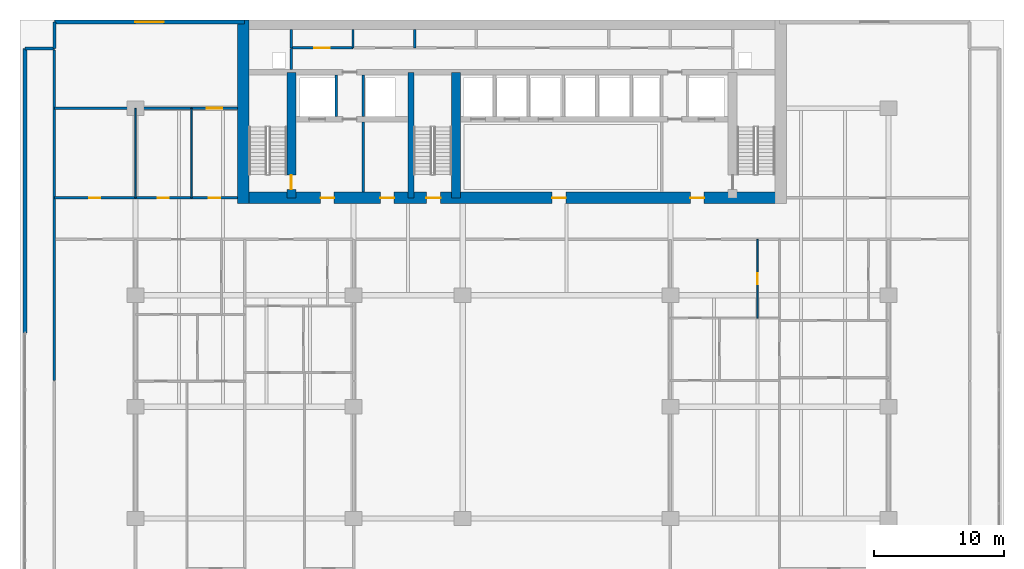
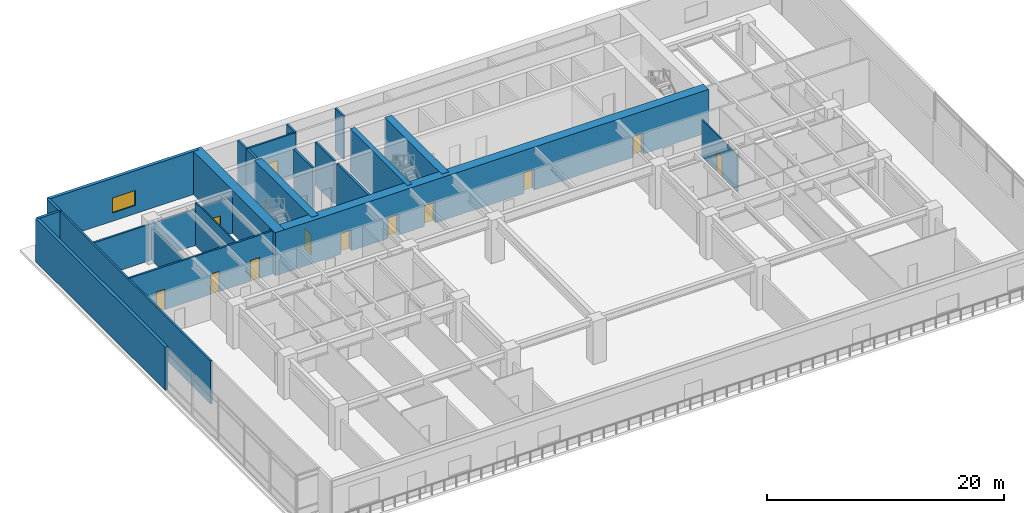
# One storey, part 8 of 13: 23 walls, 12 doors, 1 window, 13 openings.
"""IFC4 building model written with IfcOpenShell, lengths in metres."""

from ifc_helpers import new_model, si_unit, direction, frame, frame_2d, origin, place, context, subcontext, project, spatial, rectangle, extrude, material, layer, layer_set, type_object, element, fill, save


model = new_model("IFC4")

# Units and contexts
model_context = context("Model", 3, precision=1e-05, world=origin(), true_north=direction((0.0, 1.0)))
body_context = subcontext(model_context, "Body", "Model", "MODEL_VIEW")
ifc_project = project(units=[si_unit("LENGTHUNIT", "METRE"), si_unit("AREAUNIT", "SQUARE_METRE"), si_unit("VOLUMEUNIT", "CUBIC_METRE"), si_unit("PLANEANGLEUNIT", "RADIAN"), si_unit("MASSUNIT", "GRAM", prefix="KILO")], contexts=[model_context])

# Site, building, storey
site_placement = place(None, origin())
site = spatial("IfcSite", under=ifc_project, at=site_placement, CompositionType="ELEMENT")
building_placement = place(site_placement, origin())
building = spatial("IfcBuilding", under=site, at=building_placement, Name="Caelmar Bay Residences", CompositionType="ELEMENT")
storey_placement = place(building_placement, frame((0.0, 0.0, 19.800048828125)))
storey = spatial("IfcBuildingStorey", under=building, at=storey_placement, Name="L04", CompositionType="ELEMENT", Elevation=19.800048828125)

# Wall, opening, door
ifc_material_1 = material(Name="Concrete f'c 55 MPa (8,000 psi)", Category="concrete")
ifc_layer_1 = layer(ifc_material_1, 0.699951171875)
ifc_layer_set_1 = layer_set([ifc_layer_1], Name="Concrete f'c 55 MPa (8,000 psi)")
wall_type_1 = type_object("IfcWallType", Name="SW-COR-700", PredefinedType="SHEAR", material=ifc_layer_set_1)
wall_1_placement = place(storey_placement, frame((21.89990234375, 36.89990234375, 0.0), z_axis=(0.0, 0.0, 1.0), x_axis=(0.0, 1.0, 0.0)))
wall_1 = element("IfcWall", 1, at=wall_1_placement, inside=storey, type_object=wall_type_1, Name="L04 Core Structural Web Wall ST1E", PredefinedType="SHEAR", context=body_context, shape_type="SweptSolid", body=[
    extrude(rectangle(XDim=9.675048828125, YDim=0.699951171875, at=frame_2d((4.83740234375, 0.0))), origin(), (0.0, 0.0, 1.0), 4.449951171875),
])
opening_1_placement = place(wall_1_placement, frame((0.64990234375, 0.0, 0.0)))
opening_1 = element("IfcOpeningElement", 2, at=opening_1_placement, cuts=wall_1, Name="Opening D-L04-108", PredefinedType="OPENING", context=body_context, shape_type="SweptSolid", body=[
    extrude(rectangle(XDim=1.10009765625, YDim=2.14990234375, at=frame_2d((0.550048828125, 1.074951171875))), frame((0.0, 0.35986328125, 0.0), z_axis=(0.0, -1.0, 0.0), x_axis=(1.0, 0.0, 0.0)), (0.0, 0.0, 1.0), 0.719970703125),
])
ifc_material_2 = material(Name="Fire-rated steel and walnut architectural door assembly", Category="steel")
ifc_layer_2 = layer(ifc_material_2, 0.050048828125)
ifc_layer_set_2 = layer_set([ifc_layer_2], Name="Fire-rated steel and walnut architectural door assembly")
door_type_1 = type_object("IfcDoorType", Name="D-STAIR-1100", OperationType="NOTDEFINED", PredefinedType="DOOR", material=ifc_layer_set_2)
door_1_placement = place(opening_1_placement, origin())
door_1 = element("IfcDoor", 3, at=door_1_placement, inside=storey, type_object=door_type_1, Name="L04 Firefighting Lobby West Door", OperationType="SINGLE_SWING_RIGHT", OverallHeight=2.14990234375, OverallWidth=1.10009765625, PredefinedType="DOOR", context=body_context, shape_type="SweptSolid", body=[
    extrude(rectangle(XDim=1.10009765625, YDim=2.14990234375, at=frame_2d((0.550048828125, 1.074951171875))), frame((0.0, 0.02490234375, 0.0), z_axis=(0.0, -1.0, 0.0), x_axis=(1.0, 0.0, 0.0)), (0.0, 0.0, 1.0), 0.050048828125),
])
fill(opening_1, door_1)

# Wall
wall_2_placement = place(storey_placement, frame((34.60009765625, 36.89990234375, 0.0), z_axis=(0.0, 0.0, 1.0), x_axis=(0.0, 1.0, 0.0)))
element("IfcWall", 4, at=wall_2_placement, inside=storey, type_object=wall_type_1, Name="L04 Core Structural Web Wall ST3E", PredefinedType="SHEAR", context=body_context, shape_type="SweptSolid", body=[
    extrude(rectangle(XDim=9.675048828125, YDim=0.699951171875, at=frame_2d((4.83740234375, 0.0))), origin(), (0.0, 0.0, 1.0), 4.449951171875),
])

# Wall, openings, doors
ifc_material_3 = material(Name="Concrete f'c 70 MPa (10,000 psi)", Category="concrete")
ifc_layer_3 = layer(ifc_material_3, 0.89990234375)
ifc_layer_set_3 = layer_set([ifc_layer_3], Name="Concrete f'c 70 MPa (10,000 psi)")
wall_type_2 = type_object("IfcWallType", Name="SW-COR-900", PredefinedType="SHEAR", material=ifc_layer_set_3)
wall_3_placement = place(storey_placement, frame((17.75, 36.89990234375, 0.0), z_axis=(0.0, 0.0, 1.0), x_axis=(1.0, 0.0, 0.0)))
wall_3 = element("IfcWall", 5, at=wall_3_placement, inside=storey, type_object=wall_type_2, Name="L04 Rear Core South Shear Wall", PredefinedType="SHEAR", context=body_context, shape_type="SweptSolid", body=[
    extrude(rectangle(XDim=42.300048828125, YDim=0.89990234375, at=frame_2d((21.14990234375, 0.0))), origin(), (0.0, 0.0, 1.0), 4.449951171875),
])
opening_2_placement = place(wall_3_placement, frame((14.550048828125, 0.0, 0.0)))
opening_2 = element("IfcOpeningElement", 6, at=opening_2_placement, cuts=wall_3, Name="Opening D-L04-106", PredefinedType="OPENING", context=body_context, shape_type="SweptSolid", body=[
    extrude(rectangle(XDim=1.10009765625, YDim=2.14990234375, at=frame_2d((0.550048828125, 1.074951171875))), frame((0.0, 0.4599609375, 0.0), z_axis=(0.0, -1.0, 0.0), x_axis=(1.0, 0.0, 0.0)), (0.0, 0.0, 1.0), 0.919921875),
])
opening_3_placement = place(wall_3_placement, frame((6.39990234375, 0.0, 0.0)))
opening_3 = element("IfcOpeningElement", 7, at=opening_3_placement, cuts=wall_3, Name="Opening D-L04-107", PredefinedType="OPENING", context=body_context, shape_type="SweptSolid", body=[
    extrude(rectangle(XDim=1.050048828125, YDim=2.14990234375, at=frame_2d((0.52490234375, 1.074951171875))), frame((0.0, 0.4599609375, 0.0), z_axis=(0.0, -1.0, 0.0), x_axis=(1.0, 0.0, 0.0)), (0.0, 0.0, 1.0), 0.919921875),
])
opening_4_placement = place(wall_3_placement, frame((34.89990234375, 0.0, 0.0)))
opening_4 = element("IfcOpeningElement", 8, at=opening_4_placement, cuts=wall_3, Name="Opening D-L04-110", PredefinedType="OPENING", context=body_context, shape_type="SweptSolid", body=[
    extrude(rectangle(XDim=1.050048828125, YDim=2.14990234375, at=frame_2d((0.52490234375, 1.074951171875))), frame((0.0, 0.4599609375, 0.0), z_axis=(0.0, -1.0, 0.0), x_axis=(1.0, 0.0, 0.0)), (0.0, 0.0, 1.0), 0.919921875),
])
opening_5_placement = place(wall_3_placement, frame((11.012451171875, 0.0, 0.0)))
opening_5 = element("IfcOpeningElement", 9, at=opening_5_placement, cuts=wall_3, Name="Opening D-L04-113", PredefinedType="OPENING", context=body_context, shape_type="SweptSolid", body=[
    extrude(rectangle(XDim=1.050048828125, YDim=2.14990234375, at=frame_2d((0.52490234375, 1.074951171875))), frame((0.0, 0.4599609375, 0.0), z_axis=(0.0, -1.0, 0.0), x_axis=(1.0, 0.0, 0.0)), (0.0, 0.0, 1.0), 0.919921875),
])
opening_6_placement = place(wall_3_placement, frame((24.25, 0.0, 0.0)))
opening_6 = element("IfcOpeningElement", 10, at=opening_6_placement, cuts=wall_3, Name="Opening D-L04-114", PredefinedType="OPENING", context=body_context, shape_type="SweptSolid", body=[
    extrude(rectangle(XDim=1.050048828125, YDim=2.14990234375, at=frame_2d((0.52490234375, 1.074951171875))), frame((0.0, 0.4599609375, 0.0), z_axis=(0.0, -1.0, 0.0), x_axis=(1.0, 0.0, 0.0)), (0.0, 0.0, 1.0), 0.919921875),
])
ifc_layer_4 = layer(ifc_material_2, 0.050048828125)
ifc_layer_set_4 = layer_set([ifc_layer_4], Name="Fire-rated steel and walnut architectural door assembly")
door_type_2 = type_object("IfcDoorType", Name="D-FSAE-1050", OperationType="NOTDEFINED", PredefinedType="DOOR", material=ifc_layer_set_4)
door_2_placement = place(opening_3_placement, origin())
door_2 = element("IfcDoor", 11, at=door_2_placement, inside=storey, type_object=door_type_2, Name="L04 Firefighting Lobby West Door", OperationType="SINGLE_SWING_LEFT", OverallHeight=2.14990234375, OverallWidth=1.050048828125, PredefinedType="DOOR", context=body_context, shape_type="SweptSolid", body=[
    extrude(rectangle(XDim=1.050048828125, YDim=2.14990234375, at=frame_2d((0.52490234375, 1.074951171875))), frame((0.0, 0.02490234375, 0.0), z_axis=(0.0, -1.0, 0.0), x_axis=(1.0, 0.0, 0.0)), (0.0, 0.0, 1.0), 0.050048828125),
])
fill(opening_3, door_2)
door_3_placement = place(opening_4_placement, origin())
door_3 = element("IfcDoor", 12, at=door_3_placement, inside=storey, type_object=door_type_2, Name="L04 Firefighting Lobby East Door", OperationType="SINGLE_SWING_RIGHT", OverallHeight=2.14990234375, OverallWidth=1.050048828125, PredefinedType="DOOR", context=body_context, shape_type="SweptSolid", body=[
    extrude(rectangle(XDim=1.050048828125, YDim=2.14990234375, at=frame_2d((0.52490234375, 1.074951171875))), frame((0.0, 0.02490234375, 0.0), z_axis=(0.0, -1.0, 0.0), x_axis=(1.0, 0.0, 0.0)), (0.0, 0.0, 1.0), 0.050048828125),
])
fill(opening_4, door_3)
door_4_placement = place(opening_5_placement, origin())
door_4 = element("IfcDoor", 13, at=door_4_placement, inside=storey, type_object=door_type_2, Name="L04 West Lift Lobby Door", OperationType="SINGLE_SWING_LEFT", OverallHeight=2.14990234375, OverallWidth=1.050048828125, PredefinedType="DOOR", context=body_context, shape_type="SweptSolid", body=[
    extrude(rectangle(XDim=1.050048828125, YDim=2.14990234375, at=frame_2d((0.52490234375, 1.074951171875))), frame((0.0, 0.02490234375, 0.0), z_axis=(0.0, -1.0, 0.0), x_axis=(1.0, 0.0, 0.0)), (0.0, 0.0, 1.0), 0.050048828125),
])
fill(opening_5, door_4)
door_5_placement = place(opening_6_placement, origin())
door_5 = element("IfcDoor", 14, at=door_5_placement, inside=storey, type_object=door_type_2, Name="L04 Passenger Lift Lobby Door", OperationType="SINGLE_SWING_RIGHT", OverallHeight=2.14990234375, OverallWidth=1.050048828125, PredefinedType="DOOR", context=body_context, shape_type="SweptSolid", body=[
    extrude(rectangle(XDim=1.050048828125, YDim=2.14990234375, at=frame_2d((0.52490234375, 1.074951171875))), frame((0.0, 0.02490234375, 0.0), z_axis=(0.0, -1.0, 0.0), x_axis=(1.0, 0.0, 0.0)), (0.0, 0.0, 1.0), 0.050048828125),
])
fill(opening_6, door_5)
door_6_placement = place(opening_2_placement, origin())
door_6 = element("IfcDoor", 15, at=door_6_placement, inside=storey, type_object=door_type_1, Name="L04 Exit Stair ST3 Door", OperationType="SINGLE_SWING_RIGHT", OverallHeight=2.14990234375, OverallWidth=1.10009765625, PredefinedType="DOOR", context=body_context, shape_type="SweptSolid", body=[
    extrude(rectangle(XDim=1.10009765625, YDim=2.14990234375, at=frame_2d((0.550048828125, 1.074951171875))), frame((0.0, 0.02490234375, 0.0), z_axis=(0.0, -1.0, 0.0), x_axis=(1.0, 0.0, 0.0)), (0.0, 0.0, 1.0), 0.050048828125),
])
fill(opening_2, door_6)

# Walls
wall_4_placement = place(storey_placement, frame((18.199951171875, 36.449951171875, 0.0), z_axis=(0.0, 0.0, 1.0), x_axis=(0.0, 1.0, 0.0)))
element("IfcWall", 16, at=wall_4_placement, inside=storey, type_object=wall_type_2, Name="L04 Rear Core West Shear Wall", PredefinedType="SHEAR", context=body_context, shape_type="SweptSolid", body=[
    extrude(rectangle(XDim=14.150146484375, YDim=0.89990234375, at=frame_2d((7.0751953125, 0.0))), origin(), (0.0, 0.0, 1.0), 4.449951171875),
])
ifc_layer_5 = layer(ifc_material_3, 0.449951171875)
ifc_layer_set_5 = layer_set([ifc_layer_5], Name="Concrete f'c 70 MPa (10,000 psi)")
wall_type_3 = type_object("IfcWallType", Name="SW-WEB-450", PredefinedType="SHEAR", material=ifc_layer_set_5)
wall_5_placement = place(storey_placement, frame((31.125, 36.89990234375, 0.0), z_axis=(0.0, 0.0, 1.0), x_axis=(0.0, 1.0, 0.0)))
element("IfcWall", 17, at=wall_5_placement, inside=storey, type_object=wall_type_3, Name="L04 Core Structural Web Wall ST3W", PredefinedType="SHEAR", context=body_context, shape_type="SweptSolid", body=[
    extrude(rectangle(XDim=9.675048828125, YDim=0.449951171875, at=frame_2d((4.83740234375, 0.0))), origin(), (0.0, 0.0, 1.0), 4.449951171875),
])
ifc_material_4 = material(Name="Double-stud acoustic fire-rated gypsum partition 180 mm")
ifc_layer_6 = layer(ifc_material_4, 0.179931640625)
ifc_layer_set_6 = layer_set([ifc_layer_6], Name="Double-stud acoustic fire-rated gypsum partition 180 mm")
wall_type_4 = type_object("IfcWallType", Name="W-COR-200", PredefinedType="PARTITIONING", material=ifc_layer_set_6)
wall_6_placement = place(storey_placement, frame((3.64990234375, 22.840087890625, 0.0), z_axis=(0.0, 0.0, 1.0), x_axis=(0.0, 1.0, 0.0)))
element("IfcWall", 18, at=wall_6_placement, inside=storey, type_object=wall_type_4, Name="L04 Partition Wall V002", PredefinedType="PARTITIONING", context=body_context, shape_type="SweptSolid", body=[
    extrude(rectangle(XDim=25.43994140625, YDim=0.179931640625, at=frame_2d((12.719970703125, 0.0))), origin(), (0.0, 0.0, 1.0), 4.449951171875),
])
for number, where, z_axis, x_axis, name in (
    (19, (26.64990234375, 48.449951171875, 0.0), (0.0, 0.0, 1.0), (0.0, 1.0, 0.0), "L04 Partition Wall V019"),
    (20, (31.39990234375, 48.449951171875, 0.0), (0.0, 0.0, 1.0), (0.0, 1.0, 0.0), "L04 Partition Wall V024"),
):
    element("IfcWall", number, at=place(storey_placement, frame(where, z_axis=z_axis, x_axis=x_axis)), inside=storey, type_object=wall_type_4, Name=name, PredefinedType="PARTITIONING", context=body_context, shape_type="SweptSolid", body=[
        extrude(rectangle(XDim=1.405029296875, YDim=0.179931640625, at=frame_2d((0.70263671875, 0.0))), origin(), (0.0, 0.0, 1.0), 4.449951171875),
    ])

# Wall, openings, doors
wall_7_placement = place(storey_placement, frame((3.64990234375, 36.89990234375, 0.0), z_axis=(0.0, 0.0, 1.0), x_axis=(1.0, 0.0, 0.0)))
wall_7 = element("IfcWall", 21, at=wall_7_placement, inside=storey, type_object=wall_type_4, Name="L04 Partition Wall H062", PredefinedType="PARTITIONING", context=body_context, shape_type="SweptSolid", body=[
    extrude(rectangle(XDim=14.09521484375, YDim=0.179931640625, at=frame_2d((7.047607421875, 0.0))), origin(), (0.0, 0.0, 1.0), 4.449951171875),
])
opening_7_placement = place(wall_7_placement, frame((2.699951171875, 0.0, 0.0)))
opening_7 = element("IfcOpeningElement", 22, at=opening_7_placement, cuts=wall_7, Name="Opening D-L04-150", PredefinedType="OPENING", context=body_context, shape_type="SweptSolid", body=[
    extrude(rectangle(XDim=0.85009765625, YDim=2.10009765625, at=frame_2d((0.425048828125, 1.050048828125))), frame((0.0, 0.099853515625, 0.0), z_axis=(0.0, -1.0, 0.0), x_axis=(1.0, 0.0, 0.0)), (0.0, 0.0, 1.0), 0.199951171875),
])
opening_8_placement = place(wall_7_placement, frame((7.97509765625, 0.0, 0.0)))
opening_8 = element("IfcOpeningElement", 23, at=opening_8_placement, cuts=wall_7, Name="Opening D-L04-151", PredefinedType="OPENING", context=body_context, shape_type="SweptSolid", body=[
    extrude(rectangle(XDim=0.85009765625, YDim=2.10009765625, at=frame_2d((0.425048828125, 1.050048828125))), frame((0.0, 0.099853515625, 0.0), z_axis=(0.0, -1.0, 0.0), x_axis=(1.0, 0.0, 0.0)), (0.0, 0.0, 1.0), 0.199951171875),
])
opening_9_placement = place(wall_7_placement, frame((11.87255859375, 0.0, 0.0)))
opening_9 = element("IfcOpeningElement", 24, at=opening_9_placement, cuts=wall_7, Name="Opening D-L04-152", PredefinedType="OPENING", context=body_context, shape_type="SweptSolid", body=[
    extrude(rectangle(XDim=0.89990234375, YDim=2.14990234375, at=frame_2d((0.449951171875, 1.074951171875))), frame((0.0, 0.099853515625, 0.0), z_axis=(0.0, -1.0, 0.0), x_axis=(1.0, 0.0, 0.0)), (0.0, 0.0, 1.0), 0.199951171875),
])
ifc_material_5 = material(Name="Solid walnut timber interior door leaf and frame", Category="wood")
ifc_layer_7 = layer(ifc_material_5, 0.050048828125)
ifc_layer_set_7 = layer_set([ifc_layer_7], Name="Solid walnut timber interior door leaf and frame")
door_type_3 = type_object("IfcDoorType", Name="D-BATH-850", OperationType="NOTDEFINED", PredefinedType="DOOR", material=ifc_layer_set_7)
door_7_placement = place(opening_7_placement, origin())
door_7 = element("IfcDoor", 25, at=door_7_placement, inside=storey, type_object=door_type_3, Name="L04 Podium L04 Public Restroom Door", OperationType="SINGLE_SWING_RIGHT", OverallHeight=2.10009765625, OverallWidth=0.85009765625, PredefinedType="DOOR", context=body_context, shape_type="SweptSolid", body=[
    extrude(rectangle(XDim=0.85009765625, YDim=2.10009765625, at=frame_2d((0.425048828125, 1.050048828125))), frame((0.0, 0.02490234375, 0.0), z_axis=(0.0, -1.0, 0.0), x_axis=(1.0, 0.0, 0.0)), (0.0, 0.0, 1.0), 0.050048828125),
])
fill(opening_7, door_7)
door_8_placement = place(opening_8_placement, origin())
door_8 = element("IfcDoor", 26, at=door_8_placement, inside=storey, type_object=door_type_3, Name="L04 Podium L04 Accessible WC Door", OperationType="SINGLE_SWING_LEFT", OverallHeight=2.10009765625, OverallWidth=0.85009765625, PredefinedType="DOOR", context=body_context, shape_type="SweptSolid", body=[
    extrude(rectangle(XDim=0.85009765625, YDim=2.10009765625, at=frame_2d((0.425048828125, 1.050048828125))), frame((0.0, 0.02490234375, 0.0), z_axis=(0.0, -1.0, 0.0), x_axis=(1.0, 0.0, 0.0)), (0.0, 0.0, 1.0), 0.050048828125),
])
fill(opening_8, door_8)
ifc_layer_8 = layer(ifc_material_5, 0.050048828125)
ifc_layer_set_8 = layer_set([ifc_layer_8], Name="Solid walnut timber interior door leaf and frame")
door_type_4 = type_object("IfcDoorType", Name="D-ROOM-900", OperationType="NOTDEFINED", PredefinedType="DOOR", material=ifc_layer_set_8)
door_9_placement = place(opening_9_placement, origin())
door_9 = element("IfcDoor", 27, at=door_9_placement, inside=storey, type_object=door_type_4, Name="L04 Podium L04 Linen Storage Door", OperationType="SINGLE_SWING_RIGHT", OverallHeight=2.14990234375, OverallWidth=0.89990234375, PredefinedType="DOOR", context=body_context, shape_type="SweptSolid", body=[
    extrude(rectangle(XDim=0.89990234375, YDim=2.14990234375, at=frame_2d((0.449951171875, 1.074951171875))), frame((0.0, 0.02490234375, 0.0), z_axis=(0.0, -1.0, 0.0), x_axis=(1.0, 0.0, 0.0)), (0.0, 0.0, 1.0), 0.050048828125),
])
fill(opening_9, door_9)

# Wall, opening, door
wall_8_placement = place(storey_placement, frame((3.64990234375, 43.800048828125, 0.0), z_axis=(0.0, 0.0, 1.0), x_axis=(1.0, 0.0, 0.0)))
wall_8 = element("IfcWall", 28, at=wall_8_placement, inside=storey, type_object=wall_type_4, Name="L04 Partition Wall H064", PredefinedType="PARTITIONING", context=body_context, shape_type="SweptSolid", body=[
    extrude(rectangle(XDim=14.10498046875, YDim=0.179931640625, at=frame_2d((7.052490234375, 0.0))), origin(), (0.0, 0.0, 1.0), 3.739013671875),
])
opening_10_placement = place(wall_8_placement, frame((11.7275390625, 0.0, 0.0)))
opening_10 = element("IfcOpeningElement", 29, at=opening_10_placement, cuts=wall_8, Name="Opening D-L04-154", PredefinedType="OPENING", context=body_context, shape_type="SweptSolid", body=[
    extrude(rectangle(XDim=1.199951171875, YDim=2.199951171875, at=frame_2d((0.60009765625, 1.10009765625))), frame((0.0, 0.099853515625, 0.0), z_axis=(0.0, -1.0, 0.0), x_axis=(1.0, 0.0, 0.0)), (0.0, 0.0, 1.0), 0.199951171875),
])
ifc_layer_9 = layer(ifc_material_2, 0.050048828125)
ifc_layer_set_9 = layer_set([ifc_layer_9], Name="Fire-rated steel and walnut architectural door assembly")
door_type_5 = type_object("IfcDoorType", Name="D-PLANT-1200", OperationType="NOTDEFINED", PredefinedType="DOOR", material=ifc_layer_set_9)
door_10_placement = place(opening_10_placement, origin())
door_10 = element("IfcDoor", 30, at=door_10_placement, inside=storey, type_object=door_type_5, Name="L04 Podium L04 North Plant Room Door", OperationType="SINGLE_SWING_RIGHT", OverallHeight=2.199951171875, OverallWidth=1.199951171875, PredefinedType="DOOR", context=body_context, shape_type="SweptSolid", body=[
    extrude(rectangle(XDim=1.199951171875, YDim=2.199951171875, at=frame_2d((0.60009765625, 1.10009765625))), frame((0.0, 0.02490234375, 0.0), z_axis=(0.0, -1.0, 0.0), x_axis=(1.0, 0.0, 0.0)), (0.0, 0.0, 1.0), 0.050048828125),
])
fill(opening_10, door_10)

wall_9_placement = place(storey_placement, frame((21.89990234375, 48.449951171875, 0.0), z_axis=(0.0, 0.0, 1.0), x_axis=(1.0, 0.0, 0.0)))
wall_9 = element("IfcWall", 31, at=wall_9_placement, inside=storey, type_object=wall_type_4, Name="L04 Partition Wall H065", PredefinedType="PARTITIONING", context=body_context, shape_type="SweptSolid", body=[
    extrude(rectangle(XDim=4.75, YDim=0.179931640625, at=frame_2d((2.375, 0.0))), origin(), (0.0, 0.0, 1.0), 4.449951171875),
])
opening_11_placement = place(wall_9_placement, frame((1.77490234375, 0.0, 0.0)))
opening_11 = element("IfcOpeningElement", 32, at=opening_11_placement, cuts=wall_9, Name="Opening D-L04-117", PredefinedType="OPENING", context=body_context, shape_type="SweptSolid", body=[
    extrude(rectangle(XDim=1.199951171875, YDim=2.199951171875, at=frame_2d((0.60009765625, 1.10009765625))), frame((0.0, 0.099853515625, 0.0), z_axis=(0.0, -1.0, 0.0), x_axis=(1.0, 0.0, 0.0)), (0.0, 0.0, 1.0), 0.199951171875),
])
door_11_placement = place(opening_11_placement, origin())
door_11 = element("IfcDoor", 33, at=door_11_placement, inside=storey, type_object=door_type_5, Name="L04 Branch Panel Closet Door", OperationType="SINGLE_SWING_LEFT", OverallHeight=2.199951171875, OverallWidth=1.199951171875, PredefinedType="DOOR", context=body_context, shape_type="SweptSolid", body=[
    extrude(rectangle(XDim=1.199951171875, YDim=2.199951171875, at=frame_2d((0.60009765625, 1.10009765625))), frame((0.0, 0.02490234375, 0.0), z_axis=(0.0, -1.0, 0.0), x_axis=(1.0, 0.0, 0.0)), (0.0, 0.0, 1.0), 0.050048828125),
])
fill(opening_11, door_11)

# Walls
ifc_material_6 = material(Name="Precast concrete f'c 40 MPa (6,000 psi)", Category="concrete")
ifc_layer_10 = layer(ifc_material_6, 0.25)
ifc_layer_set_10 = layer_set([ifc_layer_10], Name="Precast concrete f'c 40 MPa (6,000 psi)")
wall_type_5 = type_object("IfcWallType", Name="W-EXT-250", PredefinedType="ELEMENTEDWALL", material=ifc_layer_set_10)
wall_10_placement = place(storey_placement, frame((1.39990234375, 48.39990234375, 0.0), z_axis=(0.0, 0.0, 1.0), x_axis=(1.0, 0.0, 0.0)))
element("IfcWall", 34, at=wall_10_placement, inside=storey, type_object=wall_type_5, Name="L04 NNW-H Notch Wall", PredefinedType="ELEMENTEDWALL", context=body_context, shape_type="SweptSolid", body=[
    extrude(rectangle(XDim=2.25, YDim=0.25, at=frame_2d((1.125, 0.0))), origin(), (0.0, 0.0, 1.0), 4.449951171875),
])
wall_11_placement = place(storey_placement, frame((3.64990234375, 48.39990234375, 0.0), z_axis=(0.0, 0.0, 1.0), x_axis=(0.0, 1.0, 0.0)))
element("IfcWall", 35, at=wall_11_placement, inside=storey, type_object=wall_type_5, Name="L04 NNW-V Notch Wall", PredefinedType="ELEMENTEDWALL", context=body_context, shape_type="SweptSolid", body=[
    extrude(rectangle(XDim=2.050048828125, YDim=0.25, at=frame_2d((1.02490234375, 0.0))), origin(), (0.0, 0.0, 1.0), 4.449951171875),
])
ifc_layer_11 = layer(ifc_material_6, 0.300048828125)
ifc_layer_set_11 = layer_set([ifc_layer_11], Name="Precast concrete f'c 40 MPa (6,000 psi)")
wall_type_6 = type_object("IfcWallType", Name="W-EXT-300", PredefinedType="STANDARD", material=ifc_layer_set_11)
wall_12_placement = place(storey_placement, frame((1.39990234375, 26.5, 0.0), z_axis=(0.0, 0.0, 1.0), x_axis=(0.0, 1.0, 0.0)))
element("IfcWall", 36, at=wall_12_placement, inside=storey, type_object=wall_type_6, Name="L04 West Rear Exterior Wall", PredefinedType="STANDARD", context=body_context, shape_type="SweptSolid", body=[
    extrude(rectangle(XDim=21.89990234375, YDim=0.300048828125, at=frame_2d((10.949951171875, 0.0))), origin(), (0.0, 0.0, 1.0), 4.449951171875),
])

# Wall, opening, window
wall_13_placement = place(storey_placement, frame((3.64990234375, 50.449951171875, 0.0), z_axis=(0.0, 0.0, 1.0), x_axis=(1.0, 0.0, 0.0)))
wall_13 = element("IfcWall", 37, at=wall_13_placement, inside=storey, type_object=wall_type_6, Name="L04 North-West Wing Exterior Wall", PredefinedType="STANDARD", context=body_context, shape_type="SweptSolid", body=[
    extrude(rectangle(XDim=14.650146484375, YDim=0.300048828125, at=frame_2d((7.3251953125, 0.0))), origin(), (0.0, 0.0, 1.0), 4.449951171875),
])
opening_12_placement = place(wall_13_placement, frame((6.22509765625, 0.0, 0.85009765625)))
opening_12 = element("IfcOpeningElement", 38, at=opening_12_placement, cuts=wall_13, Name="Opening WN2", PredefinedType="OPENING", context=body_context, shape_type="SweptSolid", body=[
    extrude(rectangle(XDim=2.199951171875, YDim=1.550048828125, at=frame_2d((1.10009765625, 0.77490234375))), frame((0.0, 0.159912109375, 0.0), z_axis=(0.0, -1.0, 0.0), x_axis=(1.0, 0.0, 0.0)), (0.0, 0.0, 1.0), 0.320068359375),
])
ifc_material_7 = material(Name="Bronze aluminium frame with laminated low-E glass", Category="aluminium")
ifc_layer_12 = layer(ifc_material_7, 0.06005859375)
ifc_layer_set_12 = layer_set([ifc_layer_12], Name="Bronze aluminium frame with laminated low-E glass")
window_type = type_object("IfcWindowType", Name="WIN-BR-2200", PartitioningType="SINGLE_PANEL", PredefinedType="WINDOW", material=ifc_layer_set_12)
window_placement = place(opening_12_placement, origin())
window = element("IfcWindow", 39, at=window_placement, inside=storey, type_object=window_type, Name="L04 North-West Studio Window", OverallHeight=1.550048828125, OverallWidth=2.199951171875, PartitioningType="SINGLE_PANEL", PredefinedType="WINDOW", context=body_context, shape_type="SweptSolid", body=[
    extrude(rectangle(XDim=2.199951171875, YDim=1.550048828125, at=frame_2d((1.10009765625, 0.77490234375))), frame((0.0, 0.030029296875, 0.0), z_axis=(0.0, -1.0, 0.0), x_axis=(1.0, 0.0, 0.0)), (0.0, 0.0, 1.0), 0.06005859375),
])
fill(opening_12, window)

# Walls
ifc_material_8 = material(Name="Fire-rated masonry and gypsum shaftliner assembly 200 mm", Category="masonry")
ifc_layer_13 = layer(ifc_material_8, 0.199951171875)
ifc_layer_set_13 = layer_set([ifc_layer_13], Name="Fire-rated masonry and gypsum shaftliner assembly 200 mm")
wall_type_7 = type_object("IfcWallType", Name="W-FSAE-200", PredefinedType="PARTITIONING", material=ifc_layer_set_13)
wall_14_placement = place(storey_placement, frame((21.89990234375, 46.794921875, 0.0), z_axis=(0.0, 0.0, 1.0), x_axis=(0.0, 1.0, 0.0)))
element("IfcWall", 40, at=wall_14_placement, inside=storey, type_object=wall_type_7, Name="L04 Partition Wall V012", PredefinedType="PARTITIONING", context=body_context, shape_type="SweptSolid", body=[
    extrude(rectangle(XDim=1.60498046875, YDim=0.199951171875, at=frame_2d((0.802490234375, 0.0))), origin(), (0.0, 0.0, 1.0), 4.449951171875),
])
wall_15_placement = place(storey_placement, frame((21.89990234375, 48.449951171875, 0.0), z_axis=(0.0, 0.0, 1.0), x_axis=(0.0, 1.0, 0.0)))
element("IfcWall", 41, at=wall_15_placement, inside=storey, type_object=wall_type_7, Name="L04 Partition Wall V013", PredefinedType="PARTITIONING", context=body_context, shape_type="SweptSolid", body=[
    extrude(rectangle(XDim=1.405029296875, YDim=0.199951171875, at=frame_2d((0.70263671875, 0.0))), origin(), (0.0, 0.0, 1.0), 4.449951171875),
])
wall_16_placement = place(storey_placement, frame((25.35009765625, 43.169921875, 0.0), z_axis=(0.0, 0.0, 1.0), x_axis=(0.0, 1.0, 0.0)))
element("IfcWall", 42, at=wall_16_placement, inside=storey, type_object=wall_type_7, Name="L04 Partition Wall V018", PredefinedType="PARTITIONING", context=body_context, shape_type="SweptSolid", body=[
    extrude(rectangle(XDim=3.18505859375, YDim=0.199951171875, at=frame_2d((1.592529296875, 0.0))), origin(), (0.0, 0.0, 1.0), 4.449951171875),
])
wall_17_placement = place(storey_placement, frame((27.449951171875, 37.344970703125, 0.0), z_axis=(0.0, 0.0, 1.0), x_axis=(0.0, 1.0, 0.0)))
element("IfcWall", 43, at=wall_17_placement, inside=storey, type_object=wall_type_7, Name="L04 Partition Wall V022", PredefinedType="PARTITIONING", context=body_context, shape_type="SweptSolid", body=[
    extrude(rectangle(XDim=5.385009765625, YDim=0.199951171875, at=frame_2d((2.6923828125, 0.0))), origin(), (0.0, 0.0, 1.0), 4.449951171875),
])
wall_18_placement = place(storey_placement, frame((27.449951171875, 43.169921875, 0.0), z_axis=(0.0, 0.0, 1.0), x_axis=(0.0, 1.0, 0.0)))
element("IfcWall", 44, at=wall_18_placement, inside=storey, type_object=wall_type_7, Name="L04 Partition Wall V023", PredefinedType="PARTITIONING", context=body_context, shape_type="SweptSolid", body=[
    extrude(rectangle(XDim=3.18505859375, YDim=0.199951171875, at=frame_2d((1.592529296875, 0.0))), origin(), (0.0, 0.0, 1.0), 4.449951171875),
])
ifc_material_9 = material(Name="Acoustic metal-stud gypsum partition 120 mm")
ifc_layer_14 = layer(ifc_material_9, 0.1201171875)
ifc_layer_set_14 = layer_set([ifc_layer_14], Name="Acoustic metal-stud gypsum partition 120 mm")
wall_type_8 = type_object("IfcWallType", Name="W-PRT-120", PredefinedType="PARTITIONING", material=ifc_layer_set_14)
wall_19_placement = place(storey_placement, frame((9.89990234375, 36.89990234375, 0.0), z_axis=(0.0, 0.0, 1.0), x_axis=(0.0, 1.0, 0.0)))
element("IfcWall", 45, at=wall_19_placement, inside=storey, type_object=wall_type_8, Name="L04 Partition Wall V005", PredefinedType="PARTITIONING", context=body_context, shape_type="SweptSolid", body=[
    extrude(rectangle(XDim=6.900146484375, YDim=0.1201171875, at=frame_2d((3.4501953125, 0.0))), origin(), (0.0, 0.0, 1.0), 3.4140625),
])
wall_20_placement = place(storey_placement, frame((14.199951171875, 36.89990234375, 0.0), z_axis=(0.0, 0.0, 1.0), x_axis=(0.0, 1.0, 0.0)))
element("IfcWall", 46, at=wall_20_placement, inside=storey, type_object=wall_type_8, Name="L04 Partition Wall V007", PredefinedType="PARTITIONING", context=body_context, shape_type="SweptSolid", body=[
    extrude(rectangle(XDim=6.900146484375, YDim=0.1201171875, at=frame_2d((3.4501953125, 0.0))), origin(), (0.0, 0.0, 1.0), 4.449951171875),
])

# Wall, opening, door
wall_21_placement = place(storey_placement, frame((57.800048828125, 27.639892578125, 0.0), z_axis=(0.0, 0.0, 1.0), x_axis=(0.0, 1.0, 0.0)))
wall_21 = element("IfcWall", 47, at=wall_21_placement, inside=storey, type_object=wall_type_8, Name="L04 Partition Wall V041", PredefinedType="PARTITIONING", context=body_context, shape_type="SweptSolid", body=[
    extrude(rectangle(XDim=6.06005859375, YDim=0.1201171875, at=frame_2d((3.030029296875, 0.0))), origin(), (0.0, 0.0, 1.0), 3.822998046875),
])
opening_13_placement = place(wall_21_placement, frame((2.60498046875, 0.0, 0.0)))
opening_13 = element("IfcOpeningElement", 48, at=opening_13_placement, cuts=wall_21, Name="Opening D-L04-140", PredefinedType="OPENING", context=body_context, shape_type="SweptSolid", body=[
    extrude(rectangle(XDim=0.85009765625, YDim=2.10009765625, at=frame_2d((0.425048828125, 1.050048828125))), frame((0.0, 0.070068359375, 0.0), z_axis=(0.0, -1.0, 0.0), x_axis=(1.0, 0.0, 0.0)), (0.0, 0.0, 1.0), 0.14013671875),
])
door_12_placement = place(opening_13_placement, origin())
door_12 = element("IfcDoor", 49, at=door_12_placement, inside=storey, type_object=door_type_3, Name="L04 Residence 4C Guest Bathroom Door", OperationType="SINGLE_SWING_RIGHT", OverallHeight=2.10009765625, OverallWidth=0.85009765625, PredefinedType="DOOR", context=body_context, shape_type="SweptSolid", body=[
    extrude(rectangle(XDim=0.85009765625, YDim=2.10009765625, at=frame_2d((0.425048828125, 1.050048828125))), frame((0.0, 0.02490234375, 0.0), z_axis=(0.0, -1.0, 0.0), x_axis=(1.0, 0.0, 0.0)), (0.0, 0.0, 1.0), 0.050048828125),
])
fill(opening_13, door_12)

save(model, "model.ifc")
